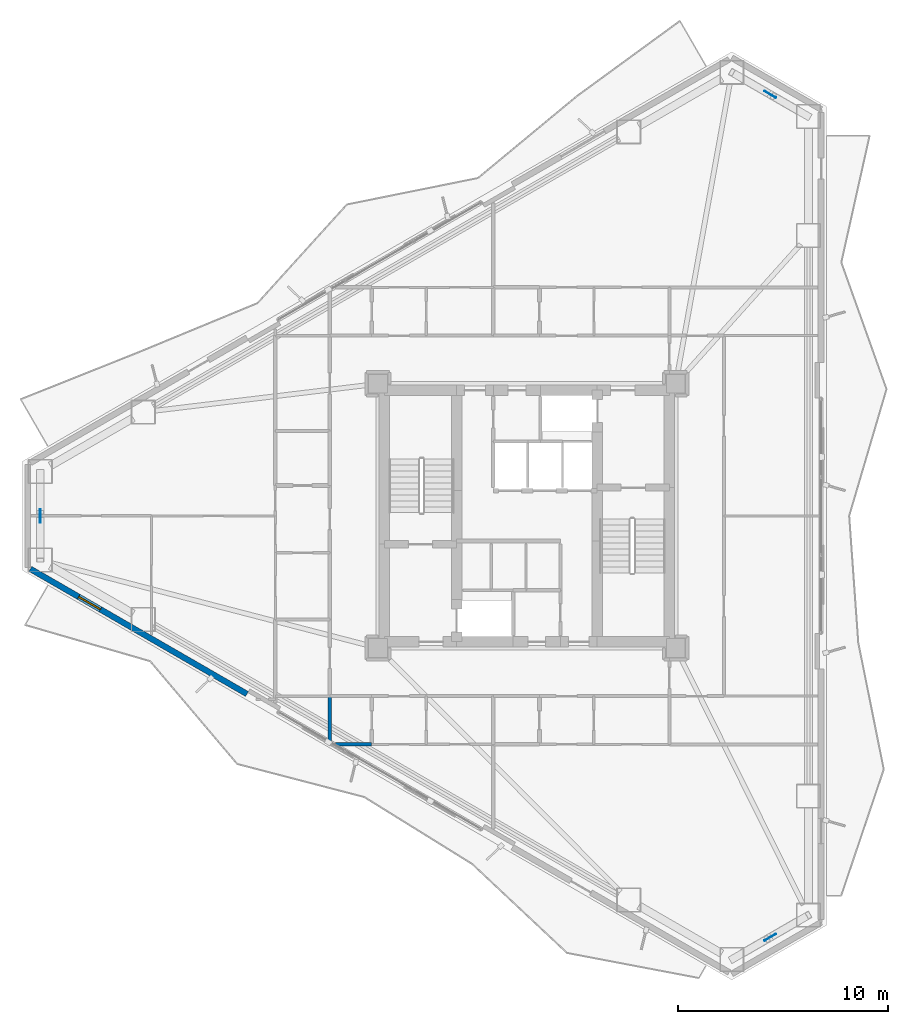
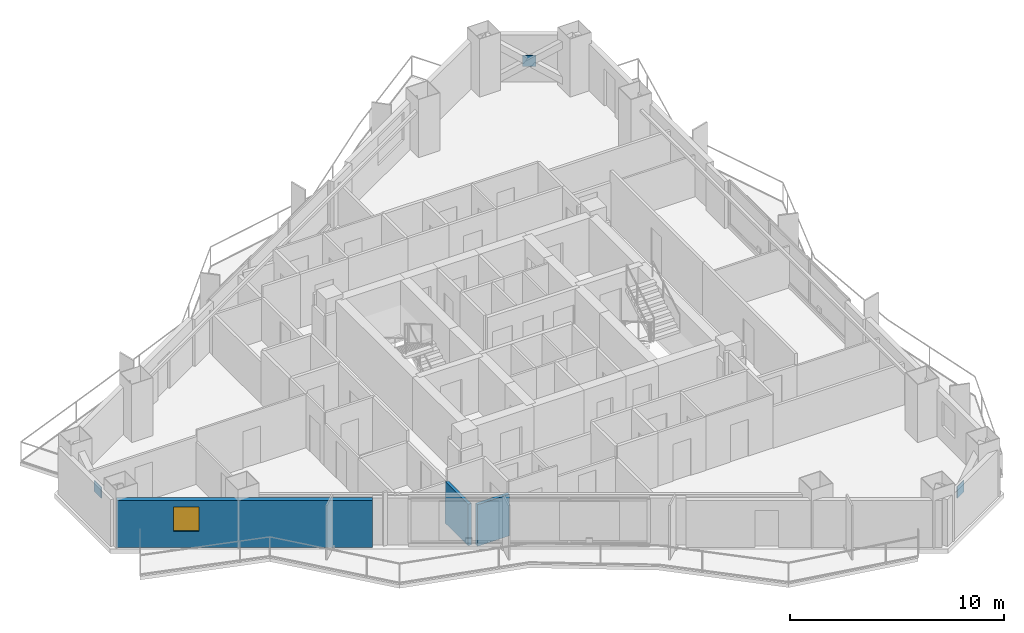
# One storey, part 15 of 23: 3 plates, 3 walls, 1 window, 1 opening.
"""IFC4 building model written with IfcOpenShell, lengths in metres."""

from ifc_helpers import new_model, si_unit, direction, frame, frame_2d, origin, origin_2d, place, context, subcontext, project, spatial, rectangle, extrude, material, layer, layer_set, type_object, element, fill, save


model = new_model("IFC4")

# Units and contexts
model_context = context("Model", 3, precision=1e-05, world=origin(), true_north=direction((0.0, 1.0)))
body_context = subcontext(model_context, "Body", "Model", "MODEL_VIEW")
ifc_project = project(units=[si_unit("LENGTHUNIT", "METRE"), si_unit("AREAUNIT", "SQUARE_METRE"), si_unit("VOLUMEUNIT", "CUBIC_METRE"), si_unit("PLANEANGLEUNIT", "RADIAN"), si_unit("MASSUNIT", "GRAM", prefix="KILO")], contexts=[model_context])

# Site, building, storey
site_placement = place(None, origin())
site = spatial("IfcSite", under=ifc_project, at=site_placement, CompositionType="ELEMENT")
building_placement = place(site_placement, origin())
building = spatial("IfcBuilding", under=site, at=building_placement, Name="Mersakhor Tower and Convention Hall", CompositionType="ELEMENT")
storey_placement = place(building_placement, frame((0.0, 0.0, 93.300048828125)))
storey = spatial("IfcBuildingStorey", under=building, at=storey_placement, Name="L25", CompositionType="ELEMENT", Elevation=93.300048828125)

# Plates
ifc_material_1 = material(Name="Steel S460", Category="steel")
ifc_layer_1 = layer(ifc_material_1, 0.0400390625)
ifc_layer_set_1 = layer_set([ifc_layer_1], Name="Steel S460")
plate_type = type_object("IfcPlateType", Name="PL-GUSSET-40", PredefinedType="SHEET", material=ifc_layer_set_1)
for number, where, z_axis, x_axis, name in (
    (1, (40.606689453125, 46.853515625, 1.205078125), (0.0, 0.0, 1.0), (-0.866025403784, 0.5, 0.0), "L25 X-Brace Crossing Gusset Node Plate"),
    (2, (40.606689453125, 6.646728515625, 1.205078125), (0.0, 0.0, 1.0), (0.866025403784, 0.5, 0.0), "L25 X-Brace Crossing Gusset Node Plate"),
    (3, (5.78662109375, 26.75, 1.205078125), (0.0, 0.0, 1.0), (0.0, -1.0, 0.0), "L25 X-Brace Crossing Gusset Node Plate"),
):
    element("IfcPlate", number, at=place(storey_placement, frame(where, z_axis=z_axis, x_axis=x_axis)), inside=storey, type_object=plate_type, Name=name, PredefinedType="SHEET", context=body_context, shape_type="SweptSolid", body=[
        extrude(rectangle(XDim=0.639892578125, YDim=0.0400390625, at=origin_2d()), origin(), (0.0, 0.0, 1.0), 0.639892578125),
    ])

# Wall, opening, window
ifc_material_2 = material(Name="Precast concrete C45/55", Category="concrete")
ifc_layer_2 = layer(ifc_material_2, 0.27490234375)
ifc_layer_set_2 = layer_set([ifc_layer_2], Name="Precast concrete C45/55")
wall_type_1 = type_object("IfcWallType", Name="WL-EXT-275", PredefinedType="SOLIDWALL", material=ifc_layer_set_2)
wall_1_placement = place(storey_placement, frame((15.64794921875, 18.2529296875, 0.0), z_axis=(0.0, 0.0, 1.0), x_axis=(-0.866023023012, 0.500004123596, 0.0)))
wall_1 = element("IfcWall", 4, at=wall_1_placement, inside=storey, type_object=wall_type_1, Name="L25 Exterior Facade Wall F3-B3", PredefinedType="SOLIDWALL", context=body_context, shape_type="SweptSolid", body=[
    extrude(rectangle(XDim=11.9296875, YDim=0.27490234375, at=frame_2d((5.96484375, 0.0))), origin(), (0.0, 0.0, 1.0), 2.669921875),
])
opening_placement = place(wall_1_placement, frame((8.071044921875, 0.0, 0.89990234375)))
opening = element("IfcOpeningElement", 5, at=opening_placement, cuts=wall_1, Name="Opening W-01", PredefinedType="OPENING", context=body_context, shape_type="SweptSolid", body=[
    extrude(rectangle(XDim=1.199951171875, YDim=1.39990234375, at=frame_2d((0.60009765625, 0.699951171875))), frame((0.0, 0.1474609375, 0.0), z_axis=(0.0, -1.0, 0.0), x_axis=(1.0, 0.0, 0.0)), (0.0, 0.0, 1.0), 0.294921875),
])
ifc_material_3 = material(Name="Dark solar low-E glazed aluminium window", Category="aluminium")
window_type = type_object("IfcWindowType", Name="WN-RES-120x150", PartitioningType="SINGLE_PANEL", PredefinedType="WINDOW", material=ifc_material_3)
window_placement = place(opening_placement, origin())
window = element("IfcWindow", 6, at=window_placement, inside=storey, type_object=window_type, Name="L25 Bedroom Facade Window F3-B3-1", OverallHeight=1.39990234375, OverallWidth=1.199951171875, PartitioningType="SINGLE_PANEL", PredefinedType="WINDOW", context=body_context, shape_type="SweptSolid", body=[
    extrude(rectangle(XDim=1.199951171875, YDim=1.39990234375, at=frame_2d((0.60009765625, 0.699951171875))), frame((0.0, 0.030029296875, 0.0), z_axis=(0.0, -1.0, 0.0), x_axis=(1.0, 0.0, 0.0)), (0.0, 0.0, 1.0), 0.06005859375),
])
fill(opening, window)

# Walls
ifc_material_4 = material(Name="Moisture-resistant acoustic drywall studwork", Category="other")
ifc_layer_3 = layer(ifc_material_4, 0.175048828125)
ifc_layer_set_3 = layer_set([ifc_layer_3], Name="Moisture-resistant acoustic drywall studwork")
wall_type_2 = type_object("IfcWallType", Name="WL-PLM-175", PredefinedType="PLUMBINGWALL", material=ifc_layer_set_3)
wall_2_placement = place(storey_placement, frame((21.60009765625, 15.85009765625, 0.0), z_axis=(0.0, 0.0, 1.0), x_axis=(-1.0, 0.0, 0.0)))
element("IfcWall", 7, at=wall_2_placement, inside=storey, type_object=wall_type_2, Name="L25 Interior Partition Wall P-083", PredefinedType="PLUMBINGWALL", context=body_context, shape_type="SweptSolid", body=[
    extrude(rectangle(XDim=1.724609375, YDim=0.175048828125, at=frame_2d((0.8623046875, 0.0))), origin(), (0.0, 0.0, 1.0), 2.364990234375),
])
wall_3_placement = place(storey_placement, frame((19.60009765625, 16.012939453125, 0.0), z_axis=(0.0, 0.0, 1.0), x_axis=(0.0, 1.0, 0.0)))
element("IfcWall", 8, at=wall_3_placement, inside=storey, type_object=wall_type_2, Name="L25 Interior Partition Wall P-084", PredefinedType="PLUMBINGWALL", context=body_context, shape_type="SweptSolid", body=[
    extrude(rectangle(XDim=2.136962890625, YDim=0.175048828125, at=frame_2d((1.068359375, 0.0))), origin(), (0.0, 0.0, 1.0), 2.364990234375),
])

save(model, "model.ifc")
